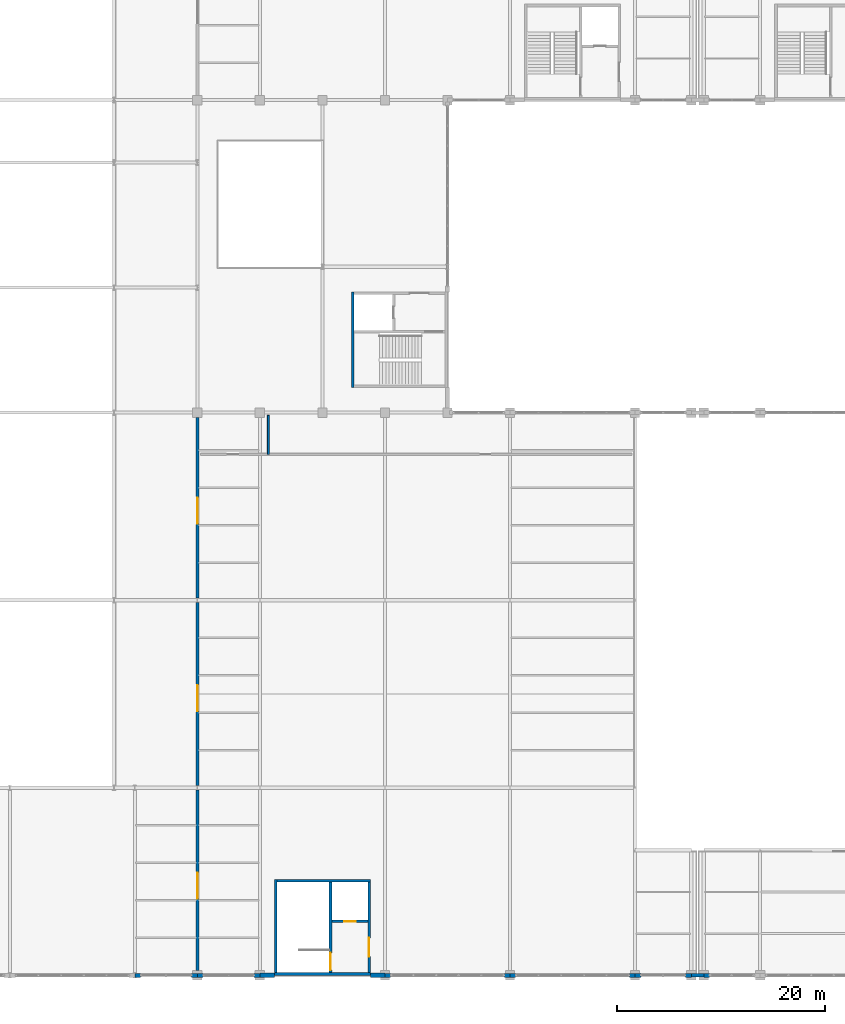
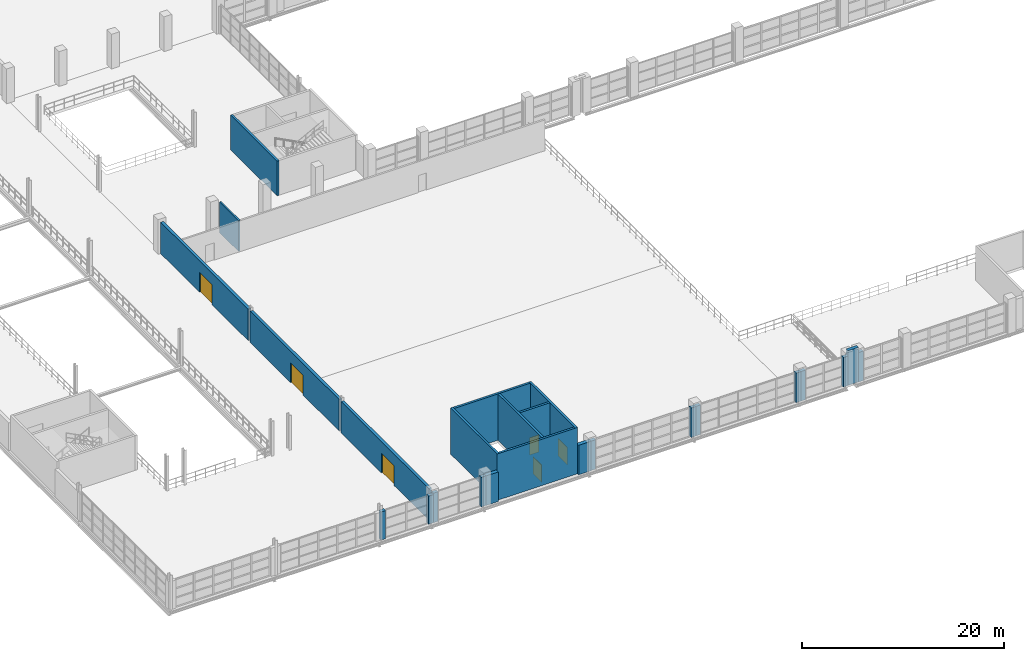
# One storey, part 139 of 158: 25 walls, 6 doors, 6 openings.
"""IFC4 building model written with IfcOpenShell, lengths in metres."""

import ifcopenshell
import ifcopenshell.guid

model = None  # the IFC model being written
_history = None  # IfcOwnerHistory: only IFC2X3 demands one
_inside = {}  # id of a spatial element -> (the spatial element, [elements in it])
_under = {}  # id of a project, library or spatial element -> (it, [spatial elements below it])
_declared = {}  # id of a project -> (the project, [libraries it declares])
_typed = {}  # id of a type object -> (the type object, [elements of that type])
_made_of = {}  # id of a material, layer set ... -> (it, [elements and type objects made of it])


def new_model(schema):
    """Start an empty IFC model of exactly this schema.

    Asked for "IFC4X3", IfcOpenShell would pick the latest addendum, in which some entities
    have other attributes; the version numbers below select the first issue.
    IFC2X3 requires an IfcOwnerHistory on every rooted entity: one is made here for all.
    """
    global model, _history
    if schema == "IFC4X3":
        model = ifcopenshell.file(schema_version=(4, 3, 0, 0))
    else:
        model = ifcopenshell.file(schema=schema)
    _inside.clear()
    _under.clear()
    _declared.clear()
    _typed.clear()
    _made_of.clear()
    _history = None
    if model.schema == "IFC2X3":
        org = make("IfcOrganization", Name="unknown")
        user = make(
            "IfcPersonAndOrganization",
            ThePerson=make("IfcPerson", FamilyName="unknown"),
            TheOrganization=org,
        )
        app = make(
            "IfcApplication",
            ApplicationDeveloper=org,
            Version="unknown",
            ApplicationFullName="unknown",
            ApplicationIdentifier="unknown",
        )
        _history = make(
            "IfcOwnerHistory",
            OwningUser=user,
            OwningApplication=app,
            ChangeAction="ADDED",
            CreationDate=0,
        )
    return model


def make(cls, **values):
    """One entity of the class cls with the attributes given. An attribute that is None is left unset."""
    return model.create_entity(
        cls, **{name: value for name, value in values.items() if value is not None}
    )


def rooted(cls, **values):
    """An entity with a GlobalId (a new one), such as an element, a storey or a relation."""
    return make(cls, GlobalId=ifcopenshell.guid.new(), OwnerHistory=_history, **values)


def si_unit(unit_type, name, prefix=None):
    """IfcSIUnit, for example si_unit("LENGTHUNIT", "METRE", prefix="MILLI")."""
    return make("IfcSIUnit", UnitType=unit_type, Prefix=prefix, Name=name)


def assignment(units):
    """IfcUnitAssignment: the units of a project."""
    return None if units is None else make("IfcUnitAssignment", Units=units)


def point(xyz):
    """IfcCartesianPoint."""
    return None if xyz is None else make("IfcCartesianPoint", Coordinates=xyz)


def direction(xyz):
    """IfcDirection."""
    return None if xyz is None else make("IfcDirection", DirectionRatios=xyz)


def frame(location, z_axis=None, x_axis=None):
    """IfcAxis2Placement3D, a coordinate frame: its origin and axes. An axis left out is left unset."""
    return make(
        "IfcAxis2Placement3D",
        Location=point(location),
        Axis=direction(z_axis),
        RefDirection=direction(x_axis),
    )


def frame_2d(location, x_axis=None):
    """IfcAxis2Placement2D, a coordinate frame in the plane: its origin and x axis."""
    return make(
        "IfcAxis2Placement2D", Location=point(location), RefDirection=direction(x_axis)
    )


def origin():
    """The frame at (0, 0, 0) with its axes left unset."""
    return frame((0.0, 0.0, 0.0))


def place(relative_to, where):
    """IfcLocalPlacement: puts the frame where relative to a parent placement (None: the world)."""
    return make(
        "IfcLocalPlacement", PlacementRelTo=relative_to, RelativePlacement=where
    )


def context(
    kind, dimensions, precision=None, world=None, true_north=None, identifier=None
):
    """IfcGeometricRepresentationContext, for example the 3D "Model" context."""
    return make(
        "IfcGeometricRepresentationContext",
        ContextIdentifier=identifier,
        ContextType=kind,
        CoordinateSpaceDimension=dimensions,
        Precision=precision,
        WorldCoordinateSystem=world,
        TrueNorth=true_north,
    )


def subcontext(parent, identifier, kind, view, scale=None):
    """IfcGeometricRepresentationSubContext, for example "Body" below "Model"."""
    return make(
        "IfcGeometricRepresentationSubContext",
        ContextIdentifier=identifier,
        ContextType=kind,
        ParentContext=parent,
        TargetScale=scale,
        TargetView=view,
    )


def project(units=None, contexts=None):
    """IfcProject with its units and contexts."""
    return rooted(
        "IfcProject",
        Name="project",
        RepresentationContexts=contexts,
        UnitsInContext=assignment(units),
    )


def spatial(cls, under=None, at=None, **own):
    """A site, building, storey or space (cls), placed at a placement, below another one or the project."""
    s = rooted(cls, ObjectPlacement=at, **own)
    if under is not None:
        _under.setdefault(under.id(), (under, []))[1].append(s)
    return s


def profile(cls, at=None, kind="AREA", **sizes):
    """A parametric profile (cls). Its sizes go by their IFC names, for example OverallWidth=200.0."""
    return make(cls, ProfileType=kind, Position=at, **sizes)


def rectangle(**sizes):
    """IfcRectangleProfileDef."""
    return profile("IfcRectangleProfileDef", **sizes)


def extrude(swept, where, along, depth):
    """IfcExtrudedAreaSolid: the profile swept, set in the frame where, extruded along a direction by depth."""
    return make(
        "IfcExtrudedAreaSolid",
        SweptArea=swept,
        Position=where,
        ExtrudedDirection=direction(along),
        Depth=depth,
    )


def shape(context_of_items, identifier, shape_type, items):
    """IfcShapeRepresentation: the items that make up one representation, for example the "Body"."""
    return make(
        "IfcShapeRepresentation",
        ContextOfItems=context_of_items,
        RepresentationIdentifier=identifier,
        RepresentationType=shape_type,
        Items=items,
    )


def material(Name=None, Category=None):
    """IfcMaterial."""
    return make("IfcMaterial", Name=Name, Category=Category)


def layer(
    of_material, thickness, ventilated=None, Name=None, Category=None, Priority=None
):
    """IfcMaterialLayer: one layer of a wall or slab, of a material (None: an air gap)."""
    return make(
        "IfcMaterialLayer",
        Material=of_material,
        LayerThickness=thickness,
        IsVentilated=ventilated,
        Name=Name,
        Category=Category,
        Priority=Priority,
    )


def layer_set(layers, Name=None):
    """IfcMaterialLayerSet."""
    return make("IfcMaterialLayerSet", MaterialLayers=layers, LayerSetName=Name)


def made_of(thing, what):
    """Note that an element or type object is made of a material, layer set ...; save() writes the relation."""
    if what is not None:
        _made_of.setdefault(what.id(), (what, []))[1].append(thing)
    return thing


def type_object(cls, material=None, **own):
    """A type object (cls), such as IfcWallType, which elements share."""
    return made_of(rooted(cls, **own), material)


def element(
    cls,
    number,
    at=None,
    inside=None,
    cuts=None,
    type_object=None,
    material=None,
    context=None,
    identifier="Body",
    shape_type=None,
    held_by="IfcProductDefinitionShape",
    body=None,
    shapes=None,
    **own,
):
    """One element of the class cls, such as IfcWall. Its Tag is "e" and its number.

    at: its placement. inside: the storey or other place that contains it. cuts: it is an
    opening in that element (IfcRelVoidsElement). A single representation is given by context,
    identifier, shape_type and body (its items); several are given by shapes. held_by: the class
    of the entity that holds the representations. save() writes the other relations.
    """
    e = rooted(cls, Tag="e%d" % number, ObjectPlacement=at, **own)
    if body is not None:
        shapes = [shape(context, identifier, shape_type, body)]
    if shapes is not None:
        e.Representation = make(held_by, Representations=shapes)
    if inside is not None:
        _inside.setdefault(inside.id(), (inside, []))[1].append(e)
    if cuts is not None:
        rooted(
            "IfcRelVoidsElement", RelatingBuildingElement=cuts, RelatedOpeningElement=e
        )
    if type_object is not None:
        _typed.setdefault(type_object.id(), (type_object, []))[1].append(e)
    return made_of(e, material)


def fill(opening, filler):
    """IfcRelFillsElement: the door or window that sits in an opening."""
    return rooted(
        "IfcRelFillsElement",
        RelatingOpeningElement=opening,
        RelatedBuildingElement=filler,
    )


def aggregate(whole, parts):
    """IfcRelAggregates: a whole, such as a stair, and the parts it consists of."""
    return rooted("IfcRelAggregates", RelatingObject=whole, RelatedObjects=parts)


def save(model, path):
    """Write the relations noted so far, then the file.

    IfcRelAggregates (storeys below a building ...), IfcRelContainedInSpatialStructure (elements
    in a storey), IfcRelDefinesByType, IfcRelAssociatesMaterial and IfcRelDeclares: one each for
    every whole, place, type object, material and project.
    """
    for whole, parts in _under.values():
        aggregate(whole, parts)
    for where, things in _inside.values():
        rooted(
            "IfcRelContainedInSpatialStructure",
            RelatedElements=things,
            RelatingStructure=where,
        )
    for kind, things in _typed.values():
        rooted("IfcRelDefinesByType", RelatedObjects=things, RelatingType=kind)
    for what, things in _made_of.values():
        rooted("IfcRelAssociatesMaterial", RelatedObjects=things, RelatingMaterial=what)
    for by, libraries in _declared.values():
        rooted("IfcRelDeclares", RelatingContext=by, RelatedDefinitions=libraries)
    model.write(path)


model = new_model("IFC4")

# Units and contexts
model_context = context("Model", 3, precision=1e-05, world=origin(), true_north=direction((0.0, 1.0)))
body_context = subcontext(model_context, "Body", "Model", "MODEL_VIEW")
ifc_project = project(units=[si_unit("LENGTHUNIT", "METRE"), si_unit("AREAUNIT", "SQUARE_METRE"), si_unit("VOLUMEUNIT", "CUBIC_METRE"), si_unit("PLANEANGLEUNIT", "RADIAN"), si_unit("MASSUNIT", "GRAM", prefix="KILO")], contexts=[model_context])

# Site, building, storey
site_placement = place(None, origin())
site = spatial("IfcSite", under=ifc_project, at=site_placement, CompositionType="ELEMENT")
building_placement = place(site_placement, origin())
building = spatial("IfcBuilding", under=site, at=building_placement, Name="Zilviju Railside Exhibition Hall", CompositionType="ELEMENT")
storey_placement = place(building_placement, frame((0.0, 0.0, 4.199951171875)))
storey = spatial("IfcBuildingStorey", under=building, at=storey_placement, Name="L02", CompositionType="ELEMENT", Elevation=4.199951171875)

# Wall, opening, door
ifc_material_1 = material(Name="Concrete C40/50", Category="concrete")
ifc_layer_1 = layer(ifc_material_1, 0.320068359375)
ifc_layer_set_1 = layer_set([ifc_layer_1], Name="Concrete C40/50")
wall_type_1 = type_object("IfcWallType", Name="WL-COMP-320", PredefinedType="SHEAR", material=ifc_layer_set_1)
wall_1_placement = place(storey_placement, frame((78.0, 0.451904296875, 0.0), z_axis=(0.0, 0.0, 1.0), x_axis=(0.0, 1.0, 0.0)))
wall_1 = element("IfcWall", 1, at=wall_1_placement, inside=storey, type_object=wall_type_1, Name="REI 180 South Hall Compartment Wall L02", PredefinedType="SHEAR", context=body_context, shape_type="SweptSolid", body=[
    extrude(rectangle(XDim=17.34619140625, YDim=0.320068359375, at=frame_2d((8.673095703125, 0.0))), origin(), (0.0, 0.0, 1.0), 3.800048828125),
])
opening_1_placement = place(wall_1_placement, frame((6.89794921875, 0.0, 0.0)))
opening_1 = element("IfcOpeningElement", 2, at=opening_1_placement, cuts=wall_1, Name="Opening FD-04", PredefinedType="OPENING", context=body_context, shape_type="SweptSolid", body=[
    extrude(rectangle(XDim=2.5, YDim=2.39990234375, at=frame_2d((1.25, 1.199951171875))), frame((0.0, 0.169921875, 0.0), z_axis=(0.0, -1.0, 0.0), x_axis=(1.0, 0.0, 0.0)), (0.0, 0.0, 1.0), 0.340087890625),
])
ifc_material_2 = material(Name="Exhibition hall fire compartment double door EI 60", Category="wood")
door_type_1 = type_object("IfcDoorType", Name="DR-COMP-250x240", OperationType="NOTDEFINED", PredefinedType="DOOR", material=ifc_material_2)
door_1_placement = place(opening_1_placement, origin())
door_1 = element("IfcDoor", 3, at=door_1_placement, inside=storey, type_object=door_type_1, Name="South Hall Entry Fire Door L02", OperationType="DOUBLE_DOOR_SINGLE_SWING", OverallHeight=2.39990234375, OverallWidth=2.5, PredefinedType="DOOR", context=body_context, shape_type="SweptSolid", body=[
    extrude(rectangle(XDim=2.5, YDim=2.39990234375, at=frame_2d((1.25, 1.199951171875))), frame((0.0, 0.02490234375, 0.0), z_axis=(0.0, -1.0, 0.0), x_axis=(1.0, 0.0, 0.0)), (0.0, 0.0, 1.0), 0.050048828125),
])
fill(opening_1, door_1)

wall_2_placement = place(storey_placement, frame((78.0, 18.201904296875, 0.0), z_axis=(0.0, 0.0, 1.0), x_axis=(0.0, 1.0, 0.0)))
wall_2 = element("IfcWall", 4, at=wall_2_placement, inside=storey, type_object=wall_type_1, Name="REI 180 South Hall Compartment Wall L02", PredefinedType="SHEAR", context=body_context, shape_type="SweptSolid", body=[
    extrude(rectangle(XDim=17.59619140625, YDim=0.320068359375, at=frame_2d((8.798095703125, 0.0))), origin(), (0.0, 0.0, 1.0), 3.800048828125),
])
opening_2_placement = place(wall_2_placement, frame((7.14794921875, 0.0, 0.0)))
opening_2 = element("IfcOpeningElement", 5, at=opening_2_placement, cuts=wall_2, Name="Opening FD-04", PredefinedType="OPENING", context=body_context, shape_type="SweptSolid", body=[
    extrude(rectangle(XDim=2.5, YDim=2.39990234375, at=frame_2d((1.25, 1.199951171875))), frame((0.0, 0.169921875, 0.0), z_axis=(0.0, -1.0, 0.0), x_axis=(1.0, 0.0, 0.0)), (0.0, 0.0, 1.0), 0.340087890625),
])
door_2_placement = place(opening_2_placement, origin())
door_2 = element("IfcDoor", 6, at=door_2_placement, inside=storey, type_object=door_type_1, Name="South Hall Entry Fire Door L02", OperationType="DOUBLE_DOOR_SINGLE_SWING", OverallHeight=2.39990234375, OverallWidth=2.5, PredefinedType="DOOR", context=body_context, shape_type="SweptSolid", body=[
    extrude(rectangle(XDim=2.5, YDim=2.39990234375, at=frame_2d((1.25, 1.199951171875))), frame((0.0, 0.02490234375, 0.0), z_axis=(0.0, -1.0, 0.0), x_axis=(1.0, 0.0, 0.0)), (0.0, 0.0, 1.0), 0.050048828125),
])
fill(opening_2, door_2)

wall_3_placement = place(storey_placement, frame((78.0, 36.201904296875, 0.0), z_axis=(0.0, 0.0, 1.0), x_axis=(0.0, 1.0, 0.0)))
wall_3 = element("IfcWall", 7, at=wall_3_placement, inside=storey, type_object=wall_type_1, Name="REI 180 South Hall Compartment Wall L02", PredefinedType="SHEAR", context=body_context, shape_type="SweptSolid", body=[
    extrude(rectangle(XDim=17.34619140625, YDim=0.320068359375, at=frame_2d((8.673095703125, 0.0))), origin(), (0.0, 0.0, 1.0), 3.800048828125),
])
opening_3_placement = place(wall_3_placement, frame((7.14794921875, 0.0, 0.0)))
opening_3 = element("IfcOpeningElement", 8, at=opening_3_placement, cuts=wall_3, Name="Opening FD-04", PredefinedType="OPENING", context=body_context, shape_type="SweptSolid", body=[
    extrude(rectangle(XDim=2.5, YDim=2.39990234375, at=frame_2d((1.25, 1.199951171875))), frame((0.0, 0.169921875, 0.0), z_axis=(0.0, -1.0, 0.0), x_axis=(1.0, 0.0, 0.0)), (0.0, 0.0, 1.0), 0.340087890625),
])
door_3_placement = place(opening_3_placement, origin())
door_3 = element("IfcDoor", 9, at=door_3_placement, inside=storey, type_object=door_type_1, Name="South Hall Entry Fire Door L02", OperationType="DOUBLE_DOOR_SINGLE_SWING", OverallHeight=2.39990234375, OverallWidth=2.5, PredefinedType="DOOR", context=body_context, shape_type="SweptSolid", body=[
    extrude(rectangle(XDim=2.5, YDim=2.39990234375, at=frame_2d((1.25, 1.199951171875))), frame((0.0, 0.02490234375, 0.0), z_axis=(0.0, -1.0, 0.0), x_axis=(1.0, 0.0, 0.0)), (0.0, 0.0, 1.0), 0.050048828125),
])
fill(opening_3, door_3)

# Walls
ifc_material_3 = material(Name="Concrete C35/45", Category="concrete")
ifc_layer_2 = layer(ifc_material_3, 0.25)
ifc_layer_set_2 = layer_set([ifc_layer_2], Name="Concrete C35/45")
wall_type_2 = type_object("IfcWallType", Name="WL-CORE-250", PredefinedType="SHEAR", material=ifc_layer_set_2)
wall_4_placement = place(storey_placement, frame((85.52490234375, 0.0, 0.0), z_axis=(0.0, 0.0, 1.0), x_axis=(0.0, 1.0, 0.0)))
element("IfcWall", 10, at=wall_4_placement, inside=storey, type_object=wall_type_2, Name="Core C01 South Hall West Stairwell Outer Wall L02", PredefinedType="SHEAR", context=body_context, shape_type="SweptSolid", body=[
    extrude(rectangle(XDim=9.199951171875, YDim=0.25, at=frame_2d((4.60009765625, 0.0))), origin(), (0.0, 0.0, 1.0), 5.60009765625),
])
wall_5_placement = place(storey_placement, frame((85.39990234375, 9.074951171875, 0.0), z_axis=(0.0, 0.0, 1.0), x_axis=(1.0, 0.0, 0.0)))
element("IfcWall", 11, at=wall_5_placement, inside=storey, type_object=wall_type_2, Name="Core C01 South Hall West Core Rear Wall L02", PredefinedType="SHEAR", context=body_context, shape_type="SweptSolid", body=[
    extrude(rectangle(XDim=9.2001953125, YDim=0.25, at=frame_2d((4.60009765625, 0.0))), origin(), (0.0, 0.0, 1.0), 5.60009765625),
])

# Wall, opening, door
wall_6_placement = place(storey_placement, frame((94.47509765625, 0.0, 0.0), z_axis=(0.0, 0.0, 1.0), x_axis=(0.0, 1.0, 0.0)))
wall_6 = element("IfcWall", 12, at=wall_6_placement, inside=storey, type_object=wall_type_2, Name="Core C01 South Hall West Lobby Side Wall L02", PredefinedType="SHEAR", context=body_context, shape_type="SweptSolid", body=[
    extrude(rectangle(XDim=9.199951171875, YDim=0.25, at=frame_2d((4.60009765625, 0.0))), origin(), (0.0, 0.0, 1.0), 5.60009765625),
])
opening_4_placement = place(wall_6_placement, frame((1.800048828125, 0.0, 0.0)))
opening_4 = element("IfcOpeningElement", 13, at=opening_4_placement, cuts=wall_6, Name="Opening FD-02", PredefinedType="OPENING", context=body_context, shape_type="SweptSolid", body=[
    extrude(rectangle(XDim=1.800048828125, YDim=2.14990234375, at=frame_2d((0.89990234375, 1.074951171875))), frame((0.0, 0.135009765625, 0.0), z_axis=(0.0, -1.0, 0.0), x_axis=(1.0, 0.0, 0.0)), (0.0, 0.0, 1.0), 0.27001953125),
])
ifc_material_4 = material(Name="Self-closing glazed steel core lobby fire door EI 60", Category="steel")
door_type_2 = type_object("IfcDoorType", Name="DR-LOBBY-180x215", OperationType="NOTDEFINED", PredefinedType="DOOR", material=ifc_material_4)
door_4_placement = place(opening_4_placement, origin())
door_4 = element("IfcDoor", 14, at=door_4_placement, inside=storey, type_object=door_type_2, Name="Core C01 South Hall West Lobby Fire Door L02", OperationType="DOUBLE_DOOR_SINGLE_SWING", OverallHeight=2.14990234375, OverallWidth=1.800048828125, PredefinedType="DOOR", context=body_context, shape_type="SweptSolid", body=[
    extrude(rectangle(XDim=1.800048828125, YDim=2.14990234375, at=frame_2d((0.89990234375, 1.074951171875))), frame((0.0, 0.02490234375, 0.0), z_axis=(0.0, -1.0, 0.0), x_axis=(1.0, 0.0, 0.0)), (0.0, 0.0, 1.0), 0.050048828125),
])
fill(opening_4, door_4)

wall_7_placement = place(storey_placement, frame((90.77490234375, 0.25, 0.0), z_axis=(0.0, 0.0, 1.0), x_axis=(0.0, 1.0, 0.0)))
wall_7 = element("IfcWall", 15, at=wall_7_placement, inside=storey, type_object=wall_type_2, Name="Core C01 South Hall West Stairwell Partition Wall L02", PredefinedType="SHEAR", context=body_context, shape_type="SweptSolid", body=[
    extrude(rectangle(XDim=8.699951171875, YDim=0.25, at=frame_2d((4.35009765625, 0.0))), origin(), (0.0, 0.0, 1.0), 5.60009765625),
])
opening_5_placement = place(wall_7_placement, frame((0.25, 0.0, 0.0)))
opening_5 = element("IfcOpeningElement", 16, at=opening_5_placement, cuts=wall_7, Name="Opening FD-01", PredefinedType="OPENING", context=body_context, shape_type="SweptSolid", body=[
    extrude(rectangle(XDim=1.64990234375, YDim=2.10009765625, at=frame_2d((0.824951171875, 1.050048828125))), frame((0.0, 0.135009765625, 0.0), z_axis=(0.0, -1.0, 0.0), x_axis=(1.0, 0.0, 0.0)), (0.0, 0.0, 1.0), 0.27001953125),
])
ifc_material_5 = material(Name="Self-closing steel stair enclosure fire door EI 60", Category="steel")
door_type_3 = type_object("IfcDoorType", Name="DR-STAIR-165x210", OperationType="NOTDEFINED", PredefinedType="DOOR", material=ifc_material_5)
door_5_placement = place(opening_5_placement, origin())
door_5 = element("IfcDoor", 17, at=door_5_placement, inside=storey, type_object=door_type_3, Name="Core C01 South Hall West Protected Stair Door L02", OperationType="SINGLE_SWING_LEFT", OverallHeight=2.10009765625, OverallWidth=1.64990234375, PredefinedType="DOOR", context=body_context, shape_type="SweptSolid", body=[
    extrude(rectangle(XDim=1.64990234375, YDim=2.10009765625, at=frame_2d((0.824951171875, 1.050048828125))), frame((0.0, 0.02490234375, 0.0), z_axis=(0.0, -1.0, 0.0), x_axis=(1.0, 0.0, 0.0)), (0.0, 0.0, 1.0), 0.050048828125),
])
fill(opening_5, door_5)

wall_8_placement = place(storey_placement, frame((90.89990234375, 5.175048828125, 0.0), z_axis=(0.0, 0.0, 1.0), x_axis=(1.0, 0.0, 0.0)))
wall_8 = element("IfcWall", 18, at=wall_8_placement, inside=storey, type_object=wall_type_2, Name="Core C01 South Hall West Lift Shaft Front Wall L02", PredefinedType="SHEAR", context=body_context, shape_type="SweptSolid", body=[
    extrude(rectangle(XDim=3.4501953125, YDim=0.25, at=frame_2d((1.72509765625, 0.0))), origin(), (0.0, 0.0, 1.0), 5.60009765625),
])
opening_6_placement = place(wall_8_placement, frame((1.175048828125, 0.0, 0.0)))
opening_6 = element("IfcOpeningElement", 19, at=opening_6_placement, cuts=wall_8, Name="Opening LD-01", PredefinedType="OPENING", context=body_context, shape_type="SweptSolid", body=[
    extrude(rectangle(XDim=1.10009765625, YDim=2.10009765625, at=frame_2d((0.550048828125, 1.050048828125))), frame((0.0, 0.135009765625, 0.0), z_axis=(0.0, -1.0, 0.0), x_axis=(1.0, 0.0, 0.0)), (0.0, 0.0, 1.0), 0.27001953125),
])
ifc_material_6 = material(Name="Passenger lift sliding landing door EI 60", Category="wood")
door_type_4 = type_object("IfcDoorType", Name="DR-LIFT-110x210", OperationType="NOTDEFINED", PredefinedType="DOOR", material=ifc_material_6)
door_6_placement = place(opening_6_placement, origin())
door_6 = element("IfcDoor", 20, at=door_6_placement, inside=storey, type_object=door_type_4, Name="Lift Landing Door LP-01 L02", OperationType="SLIDING_TO_LEFT", OverallHeight=2.10009765625, OverallWidth=1.10009765625, PredefinedType="DOOR", context=body_context, shape_type="SweptSolid", body=[
    extrude(rectangle(XDim=1.10009765625, YDim=2.10009765625, at=frame_2d((0.550048828125, 1.050048828125))), frame((0.0, 0.02490234375, 0.0), z_axis=(0.0, -1.0, 0.0), x_axis=(1.0, 0.0, 0.0)), (0.0, 0.0, 1.0), 0.050048828125),
])
fill(opening_6, door_6)

# Walls
wall_9_placement = place(storey_placement, frame((92.925048828125, 56.39990234375, 0.0), z_axis=(0.0, 0.0, 1.0), x_axis=(0.0, 1.0, 0.0)))
element("IfcWall", 21, at=wall_9_placement, inside=storey, type_object=wall_type_2, Name="Core C10 Winter Concourse Court Core Rear Wall L02", PredefinedType="SHEAR", context=body_context, shape_type="SweptSolid", body=[
    extrude(rectangle(XDim=9.2001953125, YDim=0.25, at=frame_2d((4.60009765625, 0.0))), origin(), (0.0, 0.0, 1.0), 4.199951171875),
])
ifc_layer_3 = layer(ifc_material_1, 0.25)
ifc_layer_set_3 = layer_set([ifc_layer_3], Name="Concrete C40/50")
wall_type_3 = type_object("IfcWallType", Name="WL-CORE-300", PredefinedType="SHEAR", material=ifc_layer_set_3)
wall_10_placement = place(storey_placement, frame((94.60009765625, 0.125, 0.0), z_axis=(0.0, 0.0, 1.0), x_axis=(-1.0, 0.0, 0.0)))
element("IfcWall", 22, at=wall_10_placement, inside=storey, type_object=wall_type_3, Name="Core C01 South Hall West Exterior Core Wall L02", PredefinedType="SHEAR", context=body_context, shape_type="SweptSolid", body=[
    extrude(rectangle(XDim=9.2001953125, YDim=0.25, at=frame_2d((4.60009765625, 0.0))), origin(), (0.0, 0.0, 1.0), 5.60009765625),
])
ifc_material_7 = material(Name="Insulated courtyard masonry wall", Category="masonry")
ifc_layer_4 = layer(ifc_material_7, 0.360107421875)
ifc_layer_set_4 = layer_set([ifc_layer_4], Name="Insulated courtyard masonry wall")
wall_type_4 = type_object("IfcWallType", Name="WL-EXT-360", PredefinedType="SOLIDWALL", material=ifc_layer_set_4)
wall_11_placement = place(storey_placement, frame((126.60009765625, 0.0, 0.0), z_axis=(0.0, 0.0, 1.0), x_axis=(-1.0, 0.0, 0.0)))
element("IfcWall", 23, at=wall_11_placement, inside=storey, type_object=wall_type_4, Name="Exterior Facade Wall L02 South 0584", PredefinedType="SOLIDWALL", context=body_context, shape_type="SweptSolid", body=[
    extrude(rectangle(XDim=1.2001953125, YDim=0.360107421875, at=frame_2d((0.60009765625, 0.0))), origin(), (0.0, 0.0, 1.0), 4.199951171875),
])
ifc_material_8 = material(Name="Insulated cream-brick upper facade wall", Category="masonry")
ifc_layer_5 = layer(ifc_material_8, 0.3798828125)
ifc_layer_set_5 = layer_set([ifc_layer_5], Name="Insulated cream-brick upper facade wall")
wall_type_5 = type_object("IfcWallType", Name="WL-EXT-380", PredefinedType="SOLIDWALL", material=ifc_layer_set_5)
wall_12_placement = place(storey_placement, frame((78.550048828125, 0.0, 0.0), z_axis=(0.0, 0.0, 1.0), x_axis=(-1.0, 0.0, 0.0)))
element("IfcWall", 24, at=wall_12_placement, inside=storey, type_object=wall_type_5, Name="Curtain-Wall Jamb Closure Pier L02 0037", PredefinedType="SOLIDWALL", context=body_context, shape_type="SweptSolid", body=[
    extrude(rectangle(XDim=0.550048828125, YDim=0.3798828125, at=frame_2d((0.27490234375, 0.0))), origin(), (0.0, 0.0, 1.0), 3.56005859375),
])
for number, where, z_axis, x_axis, name in (
    (25, (83.998046875, 0.0, 0.0), (0.0, 0.0, 1.0), (-1.0, 0.0, 0.0), "Curtain-Wall Jamb Closure Pier L02 0038"),
    (26, (96.550048828125, 0.0, 0.0), (0.0, 0.0, 1.0), (-1.0, 0.0, 0.0), "Curtain-Wall Jamb Closure Pier L02 0041"),
):
    element("IfcWall", number, at=place(storey_placement, frame(where, z_axis=z_axis, x_axis=x_axis)), inside=storey, type_object=wall_type_5, Name=name, PredefinedType="SOLIDWALL", context=body_context, shape_type="SweptSolid", body=[
        extrude(rectangle(XDim=0.548095703125, YDim=0.3798828125, at=frame_2d((0.27392578125, 0.0))), origin(), (0.0, 0.0, 1.0), 3.56005859375),
    ])
wall_13_placement = place(storey_placement, frame((108.0, 0.0, 0.0), z_axis=(0.0, 0.0, 1.0), x_axis=(-1.0, 0.0, 0.0)))
element("IfcWall", 27, at=wall_13_placement, inside=storey, type_object=wall_type_5, Name="Curtain-Wall Jamb Closure Pier L02 0042", PredefinedType="SOLIDWALL", context=body_context, shape_type="SweptSolid", body=[
    extrude(rectangle(XDim=0.550048828125, YDim=0.3798828125, at=frame_2d((0.27490234375, 0.0))), origin(), (0.0, 0.0, 1.0), 3.56005859375),
])
wall_14_placement = place(storey_placement, frame((108.550048828125, 0.0, 0.0), z_axis=(0.0, 0.0, 1.0), x_axis=(-1.0, 0.0, 0.0)))
element("IfcWall", 28, at=wall_14_placement, inside=storey, type_object=wall_type_5, Name="Curtain-Wall Jamb Closure Pier L02 0043", PredefinedType="SOLIDWALL", context=body_context, shape_type="SweptSolid", body=[
    extrude(rectangle(XDim=0.548095703125, YDim=0.3798828125, at=frame_2d((0.27392578125, 0.0))), origin(), (0.0, 0.0, 1.0), 3.56005859375),
])
wall_15_placement = place(storey_placement, frame((120.0, 0.0, 0.0), z_axis=(0.0, 0.0, 1.0), x_axis=(-1.0, 0.0, 0.0)))
element("IfcWall", 29, at=wall_15_placement, inside=storey, type_object=wall_type_5, Name="Curtain-Wall Jamb Closure Pier L02 0044", PredefinedType="SOLIDWALL", context=body_context, shape_type="SweptSolid", body=[
    extrude(rectangle(XDim=0.550048828125, YDim=0.3798828125, at=frame_2d((0.27490234375, 0.0))), origin(), (0.0, 0.0, 1.0), 3.56005859375),
])
wall_16_placement = place(storey_placement, frame((120.550048828125, 0.0, 0.0), z_axis=(0.0, 0.0, 1.0), x_axis=(-1.0, 0.0, 0.0)))
element("IfcWall", 30, at=wall_16_placement, inside=storey, type_object=wall_type_5, Name="Curtain-Wall Jamb Closure Pier L02 0045", PredefinedType="SOLIDWALL", context=body_context, shape_type="SweptSolid", body=[
    extrude(rectangle(XDim=0.548095703125, YDim=0.3798828125, at=frame_2d((0.27392578125, 0.0))), origin(), (0.0, 0.0, 1.0), 3.56005859375),
])
for number, where, z_axis, x_axis, name in (
    (31, (125.39794921875, 0.0, 0.0), (0.0, 0.0, 1.0), (-1.0, 0.0, 0.0), "Curtain-Wall Jamb Closure Pier L02 0046"),
    (32, (127.14990234375, 0.0, 0.0), (0.0, 0.0, 1.0), (-1.0, 0.0, 0.0), "Curtain-Wall Jamb Closure Pier L02 0047"),
):
    element("IfcWall", number, at=place(storey_placement, frame(where, z_axis=z_axis, x_axis=x_axis)), inside=storey, type_object=wall_type_5, Name=name, PredefinedType="SOLIDWALL", context=body_context, shape_type="SweptSolid", body=[
        extrude(rectangle(XDim=0.5478515625, YDim=0.3798828125, at=frame_2d((0.27392578125, 0.0))), origin(), (0.0, 0.0, 1.0), 3.56005859375),
    ])
for number, where, z_axis, x_axis, name in (
    (33, (72.550048828125, 0.0, 0.0), (0.0, 0.0, 1.0), (-1.0, 0.0, 0.0), "Curtain-Wall Jamb Closure Pier L02 0394"),
    (34, (77.998046875, 0.0, 0.0), (0.0, 0.0, 1.0), (-1.0, 0.0, 0.0), "Curtain-Wall Jamb Closure Pier L02 0395"),
):
    element("IfcWall", number, at=place(storey_placement, frame(where, z_axis=z_axis, x_axis=x_axis)), inside=storey, type_object=wall_type_5, Name=name, PredefinedType="SOLIDWALL", context=body_context, shape_type="SweptSolid", body=[
        extrude(rectangle(XDim=0.548095703125, YDim=0.3798828125, at=frame_2d((0.27392578125, 0.0))), origin(), (0.0, 0.0, 1.0), 3.400146484375),
    ])
ifc_material_9 = material(Name="Insulated Jugendstils ochre brick facade wall", Category="masonry")
ifc_layer_6 = layer(ifc_material_9, 0.419921875)
ifc_layer_set_6 = layer_set([ifc_layer_6], Name="Insulated Jugendstils ochre brick facade wall")
wall_type_6 = type_object("IfcWallType", Name="WL-EXT-420", PredefinedType="SOLIDWALL", material=ifc_layer_set_6)
for number, where, z_axis, x_axis, name in (
    (35, (85.39990234375, 0.0, 0.0), (0.0, 0.0, 1.0), (-1.0, 0.0, 0.0), "Exterior Facade Wall L02 South 0039"),
    (36, (96.0, 0.0, 0.0), (0.0, 0.0, 1.0), (-1.0, 0.0, 0.0), "Exterior Facade Wall L02 South 0040"),
):
    element("IfcWall", number, at=place(storey_placement, frame(where, z_axis=z_axis, x_axis=x_axis)), inside=storey, type_object=wall_type_6, Name=name, PredefinedType="SOLIDWALL", context=body_context, shape_type="SweptSolid", body=[
        extrude(rectangle(XDim=1.39990234375, YDim=0.419921875, at=frame_2d((0.699951171875, 0.0))), origin(), (0.0, 0.0, 1.0), 3.570068359375),
    ])
ifc_material_10 = material(Name="Accessible WC sanitary chase wall", Category="masonry")
ifc_layer_7 = layer(ifc_material_10, 0.18994140625)
ifc_layer_set_7 = layer_set([ifc_layer_7], Name="Accessible WC sanitary chase wall")
wall_type_7 = type_object("IfcWallType", Name="WL-PLMB-190", PredefinedType="PLUMBINGWALL", material=ifc_layer_set_7)
wall_17_placement = place(storey_placement, frame((84.800048828125, 50.0, 0.0), z_axis=(0.0, 0.0, 1.0), x_axis=(0.0, 1.0, 0.0)))
element("IfcWall", 37, at=wall_17_placement, inside=storey, type_object=wall_type_7, Name="South Gallery West WC Divider", PredefinedType="PLUMBINGWALL", context=body_context, shape_type="SweptSolid", body=[
    extrude(rectangle(XDim=3.75, YDim=0.18994140625, at=frame_2d((1.875, 0.0))), origin(), (0.0, 0.0, 1.0), 3.719970703125),
])

save(model, "model.ifc")
